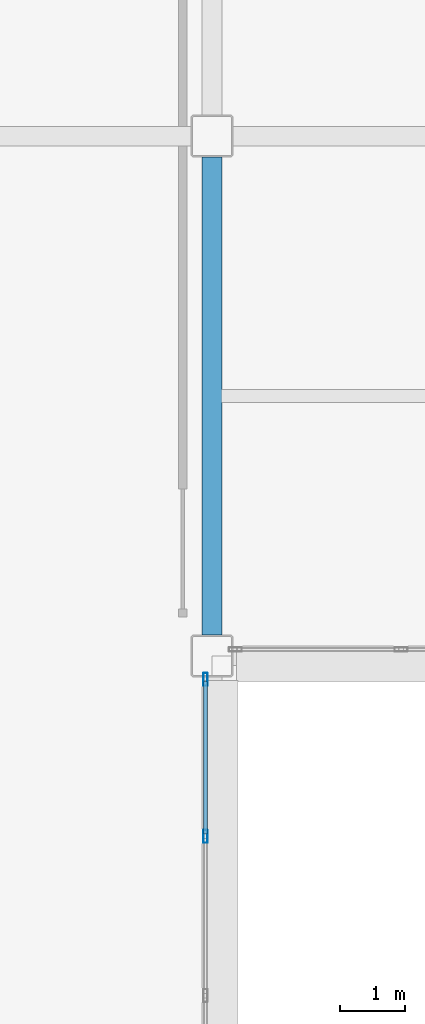
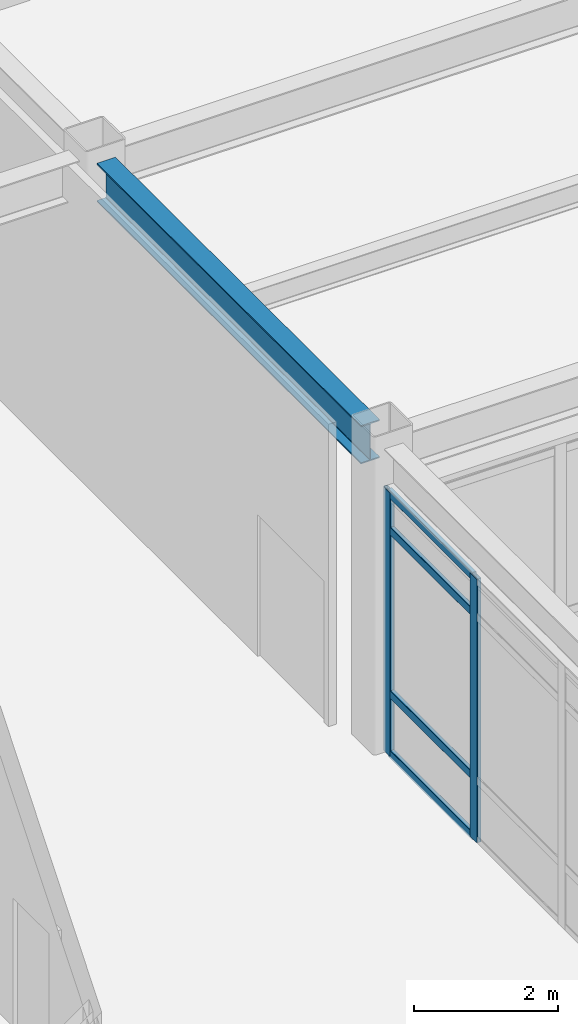
# One storey, part 38 of 165: 6 members, 1 beam, 1 element without a shape of its own.
"""IFC4 building model written with IfcOpenShell, lengths in metres."""

from ifc_helpers import new_model, si_unit, direction, frame, origin, origin_2d, place, context, subcontext, project, spatial, hollow_rectangle, i_section, extrude, material, layer, layer_set, material_profile, profile_set, type_object, element, aggregate, save


model = new_model("IFC4")

# Units and contexts
model_context = context("Model", 3, precision=1e-05, world=origin(), true_north=direction((0.0, 1.0)))
body_context = subcontext(model_context, "Body", "Model", "MODEL_VIEW")
ifc_project = project(units=[si_unit("LENGTHUNIT", "METRE"), si_unit("AREAUNIT", "SQUARE_METRE"), si_unit("VOLUMEUNIT", "CUBIC_METRE"), si_unit("PLANEANGLEUNIT", "RADIAN"), si_unit("MASSUNIT", "GRAM", prefix="KILO")], contexts=[model_context])

# Site, building, storey
site_placement = place(None, origin())
site = spatial("IfcSite", under=ifc_project, at=site_placement, CompositionType="ELEMENT")
building_placement = place(site_placement, origin())
building = spatial("IfcBuilding", under=site, at=building_placement, Name="Kazehara Bluff Congress Hotel", CompositionType="ELEMENT")
storey_placement = place(building_placement, origin())
storey = spatial("IfcBuildingStorey", under=building, at=storey_placement, Name="L00", CompositionType="ELEMENT", Elevation=0.0)

# Curtain wall, members
ifc_material_1 = material(Name="Anodised aluminium", Category="aluminium")
ifc_layer = layer(ifc_material_1, 0.159912109375)
ifc_layer_set = layer_set([ifc_layer], Name="Anodised aluminium")
curtain_wall_type = type_object("IfcCurtainWallType", Name="TP-CW-52", PredefinedType="NOTDEFINED", material=ifc_layer_set)
curtain_wall_placement = place(storey_placement, origin())
curtain_wall = element("IfcCurtainWall", 1, at=curtain_wall_placement, inside=storey, type_object=curtain_wall_type, Name="L00 curtain wall CW-52 CW-ENC-V4-L00-7595-1200", PredefinedType="NOTDEFINED")
ifc_material_2 = material(Name="Anodised aluminium", Category="aluminium")
ifc_material_profile_1 = material_profile(ifc_material_2, hollow_rectangle(XDim=0.070068359375, YDim=0.199951171875, WallThickness=0.0048828125, InnerFilletRadius=0.0048828125, OuterFilletRadius=0.010009765625, at=origin_2d()))
ifc_profile_set_1 = profile_set([ifc_material_profile_1], Name="Anodised aluminium")
member_type_1 = type_object("IfcMemberType", Name="TP-CWM-03", PredefinedType="MULLION", material=ifc_profile_set_1)
member_1_placement = place(storey_placement, frame((75.949951171875, 15.639892578125, 0.0), z_axis=(0.0, 0.0, 1.0), x_axis=(1.0, 0.0, 0.0)))
member_1 = element("IfcMember", 2, at=member_1_placement, type_object=member_type_1, Name="CW-52 mullion 1", PredefinedType="MULLION", context=body_context, shape_type="SweptSolid", body=[
    extrude(hollow_rectangle(XDim=0.070068359375, YDim=0.199951171875, WallThickness=0.0048828125, InnerFilletRadius=0.0048828125, OuterFilletRadius=0.010009765625, at=origin_2d()), origin(), (0.0, 0.0, 1.0), 4.47509765625),
])
member_2_placement = place(storey_placement, frame((75.949951171875, 13.22509765625, 0.0), z_axis=(0.0, 0.0, 1.0), x_axis=(1.0, 0.0, 0.0)))
member_2 = element("IfcMember", 3, at=member_2_placement, type_object=member_type_1, Name="CW-52 mullion 2", PredefinedType="MULLION", context=body_context, shape_type="SweptSolid", body=[
    extrude(hollow_rectangle(XDim=0.070068359375, YDim=0.199951171875, WallThickness=0.0048828125, InnerFilletRadius=0.0048828125, OuterFilletRadius=0.010009765625, at=origin_2d()), origin(), (0.0, 0.0, 1.0), 4.47509765625),
])
ifc_material_3 = material(Name="Anodised aluminium", Category="aluminium")
ifc_material_profile_2 = material_profile(ifc_material_3, hollow_rectangle(XDim=0.06494140625, YDim=0.139892578125, WallThickness=0.00390625, InnerFilletRadius=0.00390625, OuterFilletRadius=0.008056640625, at=origin_2d()))
ifc_profile_set_2 = profile_set([ifc_material_profile_2], Name="Anodised aluminium")
member_type_2 = type_object("IfcMemberType", Name="TP-CWT-02", PredefinedType="USERDEFINED", material=ifc_profile_set_2)
member_3_placement = place(storey_placement, frame((75.949951171875, 15.60498046875, 0.032470703125), z_axis=(0.0, -1.0, 0.0), x_axis=(1.0, 0.0, 0.0)))
member_3 = element("IfcMember", 4, at=member_3_placement, type_object=member_type_2, Name="CW-52 transom 1.1", ObjectType="TRANSOM", PredefinedType="USERDEFINED", context=body_context, shape_type="SweptSolid", body=[
    extrude(hollow_rectangle(XDim=0.06494140625, YDim=0.139892578125, WallThickness=0.00390625, InnerFilletRadius=0.00390625, OuterFilletRadius=0.008056640625, at=origin_2d()), origin(), (0.0, 0.0, 1.0), 2.344970703125),
])
member_4_placement = place(storey_placement, frame((75.949951171875, 15.60498046875, 1.050048828125), z_axis=(0.0, -1.0, 0.0), x_axis=(1.0, 0.0, 0.0)))
member_4 = element("IfcMember", 5, at=member_4_placement, type_object=member_type_2, Name="CW-52 transom 1.2", ObjectType="TRANSOM", PredefinedType="USERDEFINED", context=body_context, shape_type="SweptSolid", body=[
    extrude(hollow_rectangle(XDim=0.06494140625, YDim=0.139892578125, WallThickness=0.00390625, InnerFilletRadius=0.00390625, OuterFilletRadius=0.008056640625, at=origin_2d()), origin(), (0.0, 0.0, 1.0), 2.344970703125),
])
member_5_placement = place(storey_placement, frame((75.949951171875, 15.60498046875, 3.824951171875), z_axis=(0.0, -1.0, 0.0), x_axis=(1.0, 0.0, 0.0)))
member_5 = element("IfcMember", 6, at=member_5_placement, type_object=member_type_2, Name="CW-52 transom 1.3", ObjectType="TRANSOM", PredefinedType="USERDEFINED", context=body_context, shape_type="SweptSolid", body=[
    extrude(hollow_rectangle(XDim=0.06494140625, YDim=0.139892578125, WallThickness=0.00390625, InnerFilletRadius=0.00390625, OuterFilletRadius=0.008056640625, at=origin_2d()), origin(), (0.0, 0.0, 1.0), 2.344970703125),
])
member_6_placement = place(storey_placement, frame((75.949951171875, 15.60498046875, 4.4423828125), z_axis=(0.0, -1.0, 0.0), x_axis=(1.0, 0.0, 0.0)))
member_6 = element("IfcMember", 7, at=member_6_placement, type_object=member_type_2, Name="CW-52 transom 1.4", ObjectType="TRANSOM", PredefinedType="USERDEFINED", context=body_context, shape_type="SweptSolid", body=[
    extrude(hollow_rectangle(XDim=0.06494140625, YDim=0.139892578125, WallThickness=0.00390625, InnerFilletRadius=0.00390625, OuterFilletRadius=0.008056640625, at=origin_2d()), origin(), (0.0, 0.0, 1.0), 2.344970703125),
])
aggregate(curtain_wall, [member_1, member_2, member_3, member_4, member_5, member_6])

# Beam
ifc_material_4 = material(Name="Steel SN490B", Category="steel")
ifc_material_profile_3 = material_profile(ifc_material_4, i_section(OverallWidth=0.300048828125, OverallDepth=0.64990234375, WebThickness=0.011962890625, FlangeThickness=0.02001953125, FilletRadius=0.012939453125, at=origin_2d()))
ifc_profile_set_3 = profile_set([ifc_material_profile_3], Name="Steel SN490B")
beam_type = type_object("IfcBeamType", Name="TP-G-03", PredefinedType="BEAM", material=ifc_profile_set_3)
beam_placement = place(storey_placement, frame((76.050048828125, 16.324951171875, 4.824951171875), z_axis=(0.0, 1.0, 0.0), x_axis=(-1.0, 0.0, 0.0)))
element("IfcBeam", 8, at=beam_placement, inside=storey, type_object=beam_type, Name="L00 girder G-03 164", PredefinedType="BEAM", context=body_context, shape_type="SweptSolid", body=[
    extrude(i_section(OverallWidth=0.300048828125, OverallDepth=0.64990234375, WebThickness=0.011962890625, FlangeThickness=0.02001953125, FilletRadius=0.012939453125, at=origin_2d()), origin(), (0.0, 0.0, 1.0), 7.35009765625),
])

save(model, "model.ifc")
